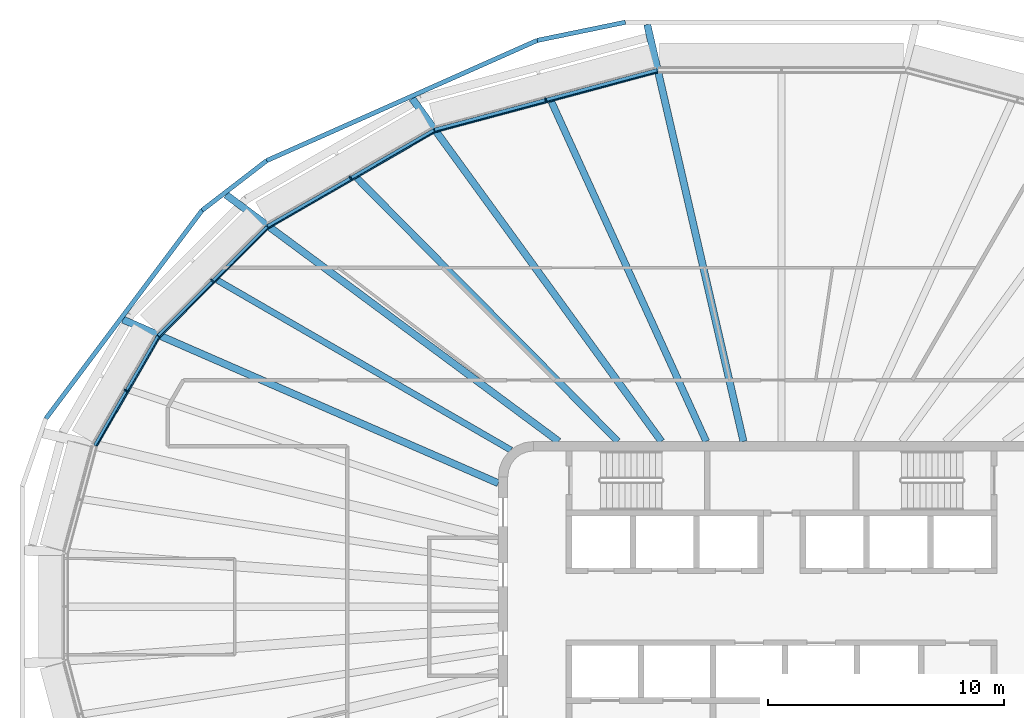
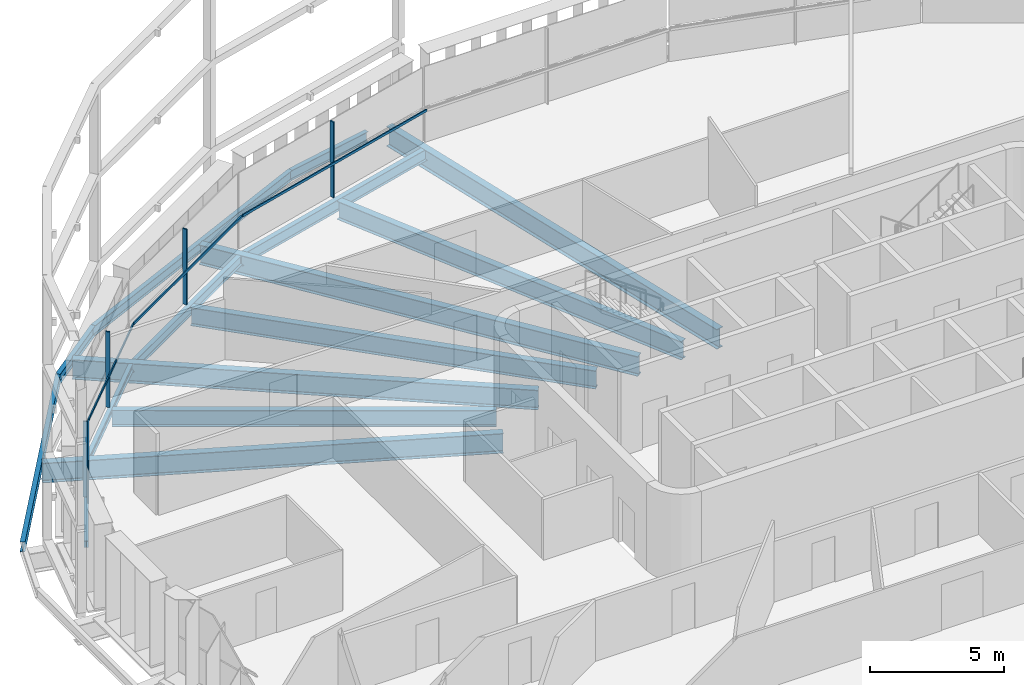
# One storey, part 5 of 20: 15 beams, 8 members, 4 elements without a shape of their own.
"""IFC4 building model written with IfcOpenShell, lengths in metres."""

import ifcopenshell
import ifcopenshell.guid

model = None  # the IFC model being written
_history = None  # IfcOwnerHistory: only IFC2X3 demands one
_inside = {}  # id of a spatial element -> (the spatial element, [elements in it])
_under = {}  # id of a project, library or spatial element -> (it, [spatial elements below it])
_declared = {}  # id of a project -> (the project, [libraries it declares])
_typed = {}  # id of a type object -> (the type object, [elements of that type])
_made_of = {}  # id of a material, layer set ... -> (it, [elements and type objects made of it])


def new_model(schema):
    """Start an empty IFC model of exactly this schema.

    Asked for "IFC4X3", IfcOpenShell would pick the latest addendum, in which some entities
    have other attributes; the version numbers below select the first issue.
    IFC2X3 requires an IfcOwnerHistory on every rooted entity: one is made here for all.
    """
    global model, _history
    if schema == "IFC4X3":
        model = ifcopenshell.file(schema_version=(4, 3, 0, 0))
    else:
        model = ifcopenshell.file(schema=schema)
    _inside.clear()
    _under.clear()
    _declared.clear()
    _typed.clear()
    _made_of.clear()
    _history = None
    if model.schema == "IFC2X3":
        org = make("IfcOrganization", Name="unknown")
        user = make(
            "IfcPersonAndOrganization",
            ThePerson=make("IfcPerson", FamilyName="unknown"),
            TheOrganization=org,
        )
        app = make(
            "IfcApplication",
            ApplicationDeveloper=org,
            Version="unknown",
            ApplicationFullName="unknown",
            ApplicationIdentifier="unknown",
        )
        _history = make(
            "IfcOwnerHistory",
            OwningUser=user,
            OwningApplication=app,
            ChangeAction="ADDED",
            CreationDate=0,
        )
    return model


def make(cls, **values):
    """One entity of the class cls with the attributes given. An attribute that is None is left unset."""
    return model.create_entity(
        cls, **{name: value for name, value in values.items() if value is not None}
    )


def rooted(cls, **values):
    """An entity with a GlobalId (a new one), such as an element, a storey or a relation."""
    return make(cls, GlobalId=ifcopenshell.guid.new(), OwnerHistory=_history, **values)


def si_unit(unit_type, name, prefix=None):
    """IfcSIUnit, for example si_unit("LENGTHUNIT", "METRE", prefix="MILLI")."""
    return make("IfcSIUnit", UnitType=unit_type, Prefix=prefix, Name=name)


def assignment(units):
    """IfcUnitAssignment: the units of a project."""
    return None if units is None else make("IfcUnitAssignment", Units=units)


def point(xyz):
    """IfcCartesianPoint."""
    return None if xyz is None else make("IfcCartesianPoint", Coordinates=xyz)


def direction(xyz):
    """IfcDirection."""
    return None if xyz is None else make("IfcDirection", DirectionRatios=xyz)


def frame(location, z_axis=None, x_axis=None):
    """IfcAxis2Placement3D, a coordinate frame: its origin and axes. An axis left out is left unset."""
    return make(
        "IfcAxis2Placement3D",
        Location=point(location),
        Axis=direction(z_axis),
        RefDirection=direction(x_axis),
    )


def frame_2d(location, x_axis=None):
    """IfcAxis2Placement2D, a coordinate frame in the plane: its origin and x axis."""
    return make(
        "IfcAxis2Placement2D", Location=point(location), RefDirection=direction(x_axis)
    )


def origin():
    """The frame at (0, 0, 0) with its axes left unset."""
    return frame((0.0, 0.0, 0.0))


def origin_2d():
    """The frame at (0, 0) in the plane with its x axis left unset."""
    return frame_2d((0.0, 0.0))


def place(relative_to, where):
    """IfcLocalPlacement: puts the frame where relative to a parent placement (None: the world)."""
    return make(
        "IfcLocalPlacement", PlacementRelTo=relative_to, RelativePlacement=where
    )


def context(
    kind, dimensions, precision=None, world=None, true_north=None, identifier=None
):
    """IfcGeometricRepresentationContext, for example the 3D "Model" context."""
    return make(
        "IfcGeometricRepresentationContext",
        ContextIdentifier=identifier,
        ContextType=kind,
        CoordinateSpaceDimension=dimensions,
        Precision=precision,
        WorldCoordinateSystem=world,
        TrueNorth=true_north,
    )


def subcontext(parent, identifier, kind, view, scale=None):
    """IfcGeometricRepresentationSubContext, for example "Body" below "Model"."""
    return make(
        "IfcGeometricRepresentationSubContext",
        ContextIdentifier=identifier,
        ContextType=kind,
        ParentContext=parent,
        TargetScale=scale,
        TargetView=view,
    )


def project(units=None, contexts=None):
    """IfcProject with its units and contexts."""
    return rooted(
        "IfcProject",
        Name="project",
        RepresentationContexts=contexts,
        UnitsInContext=assignment(units),
    )


def spatial(cls, under=None, at=None, **own):
    """A site, building, storey or space (cls), placed at a placement, below another one or the project."""
    s = rooted(cls, ObjectPlacement=at, **own)
    if under is not None:
        _under.setdefault(under.id(), (under, []))[1].append(s)
    return s


def profile(cls, at=None, kind="AREA", **sizes):
    """A parametric profile (cls). Its sizes go by their IFC names, for example OverallWidth=200.0."""
    return make(cls, ProfileType=kind, Position=at, **sizes)


def rectangle(**sizes):
    """IfcRectangleProfileDef."""
    return profile("IfcRectangleProfileDef", **sizes)


def i_section(**sizes):
    """IfcIShapeProfileDef."""
    return profile("IfcIShapeProfileDef", **sizes)


def extrude(swept, where, along, depth):
    """IfcExtrudedAreaSolid: the profile swept, set in the frame where, extruded along a direction by depth."""
    return make(
        "IfcExtrudedAreaSolid",
        SweptArea=swept,
        Position=where,
        ExtrudedDirection=direction(along),
        Depth=depth,
    )


def shape(context_of_items, identifier, shape_type, items):
    """IfcShapeRepresentation: the items that make up one representation, for example the "Body"."""
    return make(
        "IfcShapeRepresentation",
        ContextOfItems=context_of_items,
        RepresentationIdentifier=identifier,
        RepresentationType=shape_type,
        Items=items,
    )


def material(Name=None, Category=None):
    """IfcMaterial."""
    return make("IfcMaterial", Name=Name, Category=Category)


def layer(
    of_material, thickness, ventilated=None, Name=None, Category=None, Priority=None
):
    """IfcMaterialLayer: one layer of a wall or slab, of a material (None: an air gap)."""
    return make(
        "IfcMaterialLayer",
        Material=of_material,
        LayerThickness=thickness,
        IsVentilated=ventilated,
        Name=Name,
        Category=Category,
        Priority=Priority,
    )


def layer_set(layers, Name=None):
    """IfcMaterialLayerSet."""
    return make("IfcMaterialLayerSet", MaterialLayers=layers, LayerSetName=Name)


def material_profile(
    of_material, cross_section, Name=None, Category=None, Priority=None
):
    """IfcMaterialProfile: a cross section and its material."""
    return make(
        "IfcMaterialProfile",
        Name=Name,
        Material=of_material,
        Profile=cross_section,
        Priority=Priority,
        Category=Category,
    )


def profile_set(profiles, Name=None, composite=None):
    """IfcMaterialProfileSet."""
    return make(
        "IfcMaterialProfileSet",
        Name=Name,
        MaterialProfiles=profiles,
        CompositeProfile=composite,
    )


def made_of(thing, what):
    """Note that an element or type object is made of a material, layer set ...; save() writes the relation."""
    if what is not None:
        _made_of.setdefault(what.id(), (what, []))[1].append(thing)
    return thing


def type_object(cls, material=None, **own):
    """A type object (cls), such as IfcWallType, which elements share."""
    return made_of(rooted(cls, **own), material)


def element(
    cls,
    number,
    at=None,
    inside=None,
    cuts=None,
    type_object=None,
    material=None,
    context=None,
    identifier="Body",
    shape_type=None,
    held_by="IfcProductDefinitionShape",
    body=None,
    shapes=None,
    **own,
):
    """One element of the class cls, such as IfcWall. Its Tag is "e" and its number.

    at: its placement. inside: the storey or other place that contains it. cuts: it is an
    opening in that element (IfcRelVoidsElement). A single representation is given by context,
    identifier, shape_type and body (its items); several are given by shapes. held_by: the class
    of the entity that holds the representations. save() writes the other relations.
    """
    e = rooted(cls, Tag="e%d" % number, ObjectPlacement=at, **own)
    if body is not None:
        shapes = [shape(context, identifier, shape_type, body)]
    if shapes is not None:
        e.Representation = make(held_by, Representations=shapes)
    if inside is not None:
        _inside.setdefault(inside.id(), (inside, []))[1].append(e)
    if cuts is not None:
        rooted(
            "IfcRelVoidsElement", RelatingBuildingElement=cuts, RelatedOpeningElement=e
        )
    if type_object is not None:
        _typed.setdefault(type_object.id(), (type_object, []))[1].append(e)
    return made_of(e, material)


def aggregate(whole, parts):
    """IfcRelAggregates: a whole, such as a stair, and the parts it consists of."""
    return rooted("IfcRelAggregates", RelatingObject=whole, RelatedObjects=parts)


def save(model, path):
    """Write the relations noted so far, then the file.

    IfcRelAggregates (storeys below a building ...), IfcRelContainedInSpatialStructure (elements
    in a storey), IfcRelDefinesByType, IfcRelAssociatesMaterial and IfcRelDeclares: one each for
    every whole, place, type object, material and project.
    """
    for whole, parts in _under.values():
        aggregate(whole, parts)
    for where, things in _inside.values():
        rooted(
            "IfcRelContainedInSpatialStructure",
            RelatedElements=things,
            RelatingStructure=where,
        )
    for kind, things in _typed.values():
        rooted("IfcRelDefinesByType", RelatedObjects=things, RelatingType=kind)
    for what, things in _made_of.values():
        rooted("IfcRelAssociatesMaterial", RelatedObjects=things, RelatingMaterial=what)
    for by, libraries in _declared.values():
        rooted("IfcRelDeclares", RelatingContext=by, RelatedDefinitions=libraries)
    model.write(path)


model = new_model("IFC4")

# Units and contexts
model_context = context("Model", 3, precision=1e-05, world=origin(), true_north=direction((0.0, 1.0)))
body_context = subcontext(model_context, "Body", "Model", "MODEL_VIEW")
ifc_project = project(units=[si_unit("LENGTHUNIT", "METRE"), si_unit("AREAUNIT", "SQUARE_METRE"), si_unit("VOLUMEUNIT", "CUBIC_METRE"), si_unit("PLANEANGLEUNIT", "RADIAN"), si_unit("MASSUNIT", "GRAM", prefix="KILO")], contexts=[model_context])

# Site, building, storey
site_placement = place(None, origin())
site = spatial("IfcSite", under=ifc_project, at=site_placement, CompositionType="ELEMENT")
building_placement = place(site_placement, origin())
building = spatial("IfcBuilding", under=site, at=building_placement, Name="Sahrelin Media Tower", CompositionType="ELEMENT")
storey_placement = place(building_placement, frame((0.0, 0.0, 237.60009765625)))
storey = spatial("IfcBuildingStorey", under=building, at=storey_placement, Name="L51", CompositionType="ELEMENT", Elevation=237.60009765625)

# Beams
ifc_material_1 = material(Name="Steel S355", Category="steel")
ifc_material_profile_1 = material_profile(ifc_material_1, i_section(OverallWidth=0.1650390625, OverallDepth=0.303466796875, WebThickness=0.006103515625, FlangeThickness=0.01025390625, FilletRadius=0.0087890625, at=origin_2d()), Name="UB 305x165x40")
ifc_profile_set_1 = profile_set([ifc_material_profile_1], Name="Steel S355")
beam_type_1 = type_object("IfcBeamType", Name="Edge beam EB2", PredefinedType="BEAM", material=ifc_profile_set_1)
beam_1_placement = place(storey_placement, frame((-29.07177734375, 6.82470703125, -0.3017578125), z_axis=(0.500034814518, 0.86600530268, 0.0), x_axis=(-0.86600530268, 0.500034814518, 0.0)))
element("IfcBeam", 1, at=beam_1_placement, inside=storey, type_object=beam_type_1, Name="Edge beam L51-15", PredefinedType="BEAM", context=body_context, shape_type="SweptSolid", body=[
    extrude(i_section(OverallWidth=0.1650390625, OverallDepth=0.303466796875, WebThickness=0.006103515625, FlangeThickness=0.01025390625, FilletRadius=0.0087890625, at=origin_2d()), origin(), (0.0, 0.0, 1.0), 5.3447265625),
])
ifc_material_profile_2 = material_profile(ifc_material_1, i_section(OverallWidth=0.17138671875, OverallDepth=0.35498046875, WebThickness=0.00732421875, FlangeThickness=0.011474609375, FilletRadius=0.01025390625, at=origin_2d()), Name="UB 356x171x51")
ifc_profile_set_2 = profile_set([ifc_material_profile_2], Name="Steel S355")
beam_type_2 = type_object("IfcBeamType", Name="Edge beam EB3", PredefinedType="BEAM", material=ifc_profile_set_2)
beam_2_placement = place(storey_placement, frame((-26.381591796875, 11.476318359375, -0.32763671875), z_axis=(0.707106781187, 0.707106781187, 0.0), x_axis=(-0.707106781187, 0.707106781187, 0.0)))
element("IfcBeam", 2, at=beam_2_placement, inside=storey, type_object=beam_type_2, Name="Edge beam L51-16", PredefinedType="BEAM", context=body_context, shape_type="SweptSolid", body=[
    extrude(i_section(OverallWidth=0.17138671875, OverallDepth=0.35498046875, WebThickness=0.00732421875, FlangeThickness=0.011474609375, FilletRadius=0.01025390625, at=origin_2d()), origin(), (0.0, 0.0, 1.0), 6.508544921875),
])
ifc_material_profile_3 = material_profile(ifc_material_1, i_section(OverallWidth=0.1904296875, OverallDepth=0.45703125, WebThickness=0.009033203125, FlangeThickness=0.014404296875, FilletRadius=0.01025390625, at=origin_2d()), Name="UB 457x191x74")
ifc_profile_set_3 = profile_set([ifc_material_profile_3], Name="Steel S355")
beam_type_3 = type_object("IfcBeamType", Name="Edge beam EB5", PredefinedType="BEAM", material=ifc_profile_set_3)
beam_3_placement = place(storey_placement, frame((-21.756591796875, 16.095947265625, -0.378662109375), z_axis=(0.866024038412, 0.500002364886, 0.0), x_axis=(-0.500002364886, 0.866024038412, 0.0)))
element("IfcBeam", 3, at=beam_3_placement, inside=storey, type_object=beam_type_3, Name="Edge beam L51-17", PredefinedType="BEAM", context=body_context, shape_type="SweptSolid", body=[
    extrude(i_section(OverallWidth=0.1904296875, OverallDepth=0.45703125, WebThickness=0.009033203125, FlangeThickness=0.014404296875, FilletRadius=0.01025390625, at=origin_2d()), origin(), (0.0, 0.0, 1.0), 8.12890625),
])
ifc_material_profile_4 = material_profile(ifc_material_1, i_section(OverallWidth=0.208740234375, OverallDepth=0.5283203125, WebThickness=0.009521484375, FlangeThickness=0.01318359375, FilletRadius=0.0126953125, at=origin_2d()), Name="UB 533x210x82")
ifc_profile_set_4 = profile_set([ifc_material_profile_4], Name="Steel S355")
beam_type_4 = type_object("IfcBeamType", Name="Edge beam EB6", PredefinedType="BEAM", material=ifc_profile_set_4)
beam_4_placement = place(storey_placement, frame((-14.690185546875, 20.17138671875, -0.414306640625), z_axis=(0.965922692081, 0.258830741845, 0.0), x_axis=(-0.258830741845, 0.965922692081, 0.0)))
element("IfcBeam", 4, at=beam_4_placement, inside=storey, type_object=beam_type_4, Name="Edge beam L51-18", PredefinedType="BEAM", context=body_context, shape_type="SweptSolid", body=[
    extrude(i_section(OverallWidth=0.208740234375, OverallDepth=0.5283203125, WebThickness=0.009521484375, FlangeThickness=0.01318359375, FilletRadius=0.0126953125, at=origin_2d()), origin(), (0.0, 0.0, 1.0), 9.755126953125),
])

# Curtain wall, member
ifc_material_2 = material(Name="Champagne anodised aluminium 6063-T6", Category="aluminium")
ifc_layer = layer(ifc_material_2, 0.14990234375)
ifc_layer_set = layer_set([ifc_layer], Name="Tower ribbon curtain wall")
curtain_wall_type = type_object("IfcCurtainWallType", Name="Tower ribbon curtain wall", PredefinedType="NOTDEFINED", material=ifc_layer_set)
curtain_wall_1_placement = place(storey_placement, frame((-10.017578125, 21.57861328125, 0.0), z_axis=(0.0, 0.0, 1.0), x_axis=(1.0, 0.0, 0.0)))
curtain_wall_1 = element("IfcCurtainWall", 5, at=curtain_wall_1_placement, inside=storey, type_object=curtain_wall_type, Name="L51:CW:L51-07", PredefinedType="NOTDEFINED")
ifc_material_profile_5 = material_profile(ifc_material_2, rectangle(XDim=0.06005859375, YDim=0.175048828125, at=origin_2d()), Name="Mullion 60x175")
ifc_profile_set_5 = profile_set([ifc_material_profile_5], Name="Champagne anodised aluminium 6063-T6")
member_type_1 = type_object("IfcMemberType", Name="Mullion 60x175 CW1B", PredefinedType="MULLION", material=ifc_profile_set_5)
member_1_placement = place(storey_placement, frame((-9.98974609375, 21.474853515625, 0.0), z_axis=(0.0, 0.0, 1.0), x_axis=(-0.965925374563, -0.258820730961, 0.0)))
member_1 = element("IfcMember", 6, at=member_1_placement, type_object=member_type_1, Name="L51:CWM:L51-07", PredefinedType="MULLION", context=body_context, shape_type="SweptSolid", body=[
    extrude(rectangle(XDim=0.06005859375, YDim=0.175048828125, at=origin_2d()), origin(), (0.0, 0.0, 1.0), 3.448486328125),
])

curtain_wall_2_placement = place(storey_placement, frame((-18.3115234375, 18.258056640625, 0.0), z_axis=(0.0, 0.0, 1.0), x_axis=(1.0, 0.0, 0.0)))
curtain_wall_2 = element("IfcCurtainWall", 7, at=curtain_wall_2_placement, inside=storey, type_object=curtain_wall_type, Name="L51:CW:L51-08", PredefinedType="NOTDEFINED")
member_2_placement = place(storey_placement, frame((-18.2578125, 18.1650390625, 0.0), z_axis=(0.0, 0.0, 1.0), x_axis=(-0.866027149108, -0.499996976998, 0.0)))
member_2 = element("IfcMember", 8, at=member_2_placement, type_object=member_type_1, Name="L51:CWM:L51-08", PredefinedType="MULLION", context=body_context, shape_type="SweptSolid", body=[
    extrude(rectangle(XDim=0.06005859375, YDim=0.175048828125, at=origin_2d()), origin(), (0.0, 0.0, 1.0), 3.448486328125),
])

curtain_wall_3_placement = place(storey_placement, frame((-24.1865234375, 13.883544921875, 0.0), z_axis=(0.0, 0.0, 1.0), x_axis=(1.0, 0.0, 0.0)))
curtain_wall_3 = element("IfcCurtainWall", 9, at=curtain_wall_3_placement, inside=storey, type_object=curtain_wall_type, Name="L51:CW:L51-09", PredefinedType="NOTDEFINED")
member_3_placement = place(storey_placement, frame((-24.110595703125, 13.807373046875, 0.0), z_axis=(0.0, 0.0, 1.0), x_axis=(-0.707106781187, -0.707106781187, 0.0)))
member_3 = element("IfcMember", 10, at=member_3_placement, type_object=member_type_1, Name="L51:CWM:L51-09", PredefinedType="MULLION", context=body_context, shape_type="SweptSolid", body=[
    extrude(rectangle(XDim=0.06005859375, YDim=0.175048828125, at=origin_2d()), origin(), (0.0, 0.0, 1.0), 3.448486328125),
])

curtain_wall_4_placement = place(storey_placement, frame((-27.865234375, 9.214111328125, 0.0), z_axis=(0.0, 0.0, 1.0), x_axis=(1.0, 0.0, 0.0)))
curtain_wall_4 = element("IfcCurtainWall", 11, at=curtain_wall_4_placement, inside=storey, type_object=curtain_wall_type, Name="L51:CW:L51-10", PredefinedType="NOTDEFINED")
member_4_placement = place(storey_placement, frame((-27.772216796875, 9.16015625, 0.0), z_axis=(0.0, 0.0, 1.0), x_axis=(-0.500009068969, -0.866020167749, 0.0)))
member_4 = element("IfcMember", 12, at=member_4_placement, type_object=member_type_1, Name="L51:CWM:L51-10", PredefinedType="MULLION", context=body_context, shape_type="SweptSolid", body=[
    extrude(rectangle(XDim=0.06005859375, YDim=0.175048828125, at=origin_2d()), origin(), (0.0, 0.0, 1.0), 3.448486328125),
])

# Beams
ifc_material_profile_6 = material_profile(ifc_material_1, i_section(OverallWidth=0.30322265625, OverallDepth=0.903076171875, WebThickness=0.01513671875, FlangeThickness=0.020263671875, FilletRadius=0.01904296875, at=origin_2d()), Name="UB 914x305x201")
ifc_profile_set_6 = profile_set([ifc_material_profile_6], Name="Steel S355")
beam_type_5 = type_object("IfcBeamType", Name="Radial primary beam PB11", PredefinedType="BEAM", material=ifc_profile_set_6)
beam_5_placement = place(storey_placement, frame((-1.615478515625, 7.0, -0.6015625), z_axis=(-0.224867376776, 0.97438937949, 0.0), x_axis=(-0.97438937949, -0.224867376776, 0.0)))
element("IfcBeam", 13, at=beam_5_placement, inside=storey, type_object=beam_type_5, Name="Radial beam L51-07", PredefinedType="BEAM", context=body_context, shape_type="SweptSolid", body=[
    extrude(i_section(OverallWidth=0.30322265625, OverallDepth=0.903076171875, WebThickness=0.01513671875, FlangeThickness=0.020263671875, FilletRadius=0.01904296875, at=origin_2d()), origin(), (0.0, 0.0, 1.0), 18.124755859375),
])
beam_6_placement = place(storey_placement, frame((-5.08837890625, 7.0, -0.6015625), z_axis=(-0.587988206602, 0.808869500536, 0.0), x_axis=(-0.808869500536, -0.587988206602, 0.0)))
element("IfcBeam", 14, at=beam_6_placement, inside=storey, type_object=beam_type_5, Name="Radial beam L51-08", PredefinedType="BEAM", context=body_context, shape_type="SweptSolid", body=[
    extrude(i_section(OverallWidth=0.30322265625, OverallDepth=0.903076171875, WebThickness=0.01513671875, FlangeThickness=0.020263671875, FilletRadius=0.01904296875, at=origin_2d()), origin(), (0.0, 0.0, 1.0), 17.9599609375),
])
beam_7_placement = place(storey_placement, frame((-9.441162109375, 7.0, -0.6015625), z_axis=(-0.803289615058, 0.59558861166, 0.0), x_axis=(-0.59558861166, -0.803289615058, 0.0)))
element("IfcBeam", 15, at=beam_7_placement, inside=storey, type_object=beam_type_5, Name="Radial beam L51-09", PredefinedType="BEAM", context=body_context, shape_type="SweptSolid", body=[
    extrude(i_section(OverallWidth=0.30322265625, OverallDepth=0.903076171875, WebThickness=0.01513671875, FlangeThickness=0.020263671875, FilletRadius=0.01904296875, at=origin_2d()), origin(), (0.0, 0.0, 1.0), 17.542236328125),
])
beam_8_placement = place(storey_placement, frame((-12.0, 5.2314453125, -0.6015625), z_axis=(-0.916675468722, 0.399632437427, 0.0), x_axis=(-0.399632437427, -0.916675468722, 0.0)))
element("IfcBeam", 16, at=beam_8_placement, inside=storey, type_object=beam_type_5, Name="Radial beam L51-10", PredefinedType="BEAM", context=body_context, shape_type="SweptSolid", body=[
    extrude(i_section(OverallWidth=0.30322265625, OverallDepth=0.903076171875, WebThickness=0.01513671875, FlangeThickness=0.020263671875, FilletRadius=0.01904296875, at=origin_2d()), origin(), (0.0, 0.0, 1.0), 17.342041015625),
])
ifc_material_profile_7 = material_profile(ifc_material_1, i_section(OverallWidth=0.291748046875, OverallDepth=0.8349609375, WebThickness=0.013916015625, FlangeThickness=0.018798828125, FilletRadius=0.017822265625, at=origin_2d()), Name="UB 838x292x176")
ifc_profile_set_7 = profile_set([ifc_material_profile_7], Name="Steel S355")
beam_type_6 = type_object("IfcBeamType", Name="Radial secondary beam SB10", PredefinedType="BEAM", material=ifc_profile_set_7)
beam_9_placement = place(storey_placement, frame((-3.19091796875, 7.0, -0.567626953125), z_axis=(-0.414752003644, 0.90993448966, 0.0), x_axis=(-0.90993448966, -0.414752003644, 0.0)))
element("IfcBeam", 17, at=beam_9_placement, inside=storey, type_object=beam_type_6, Name="Secondary beam L51-07", PredefinedType="BEAM", context=body_context, shape_type="SweptSolid", body=[
    extrude(i_section(OverallWidth=0.291748046875, OverallDepth=0.8349609375, WebThickness=0.013916015625, FlangeThickness=0.018798828125, FilletRadius=0.017822265625, at=origin_2d()), origin(), (0.0, 0.0, 1.0), 15.8115234375),
])
beam_10_placement = place(storey_placement, frame((-6.934326171875, 7.0, -0.567626953125), z_axis=(-0.70375757682, 0.710440196687, 0.0), x_axis=(-0.710440196687, -0.70375757682, 0.0)))
element("IfcBeam", 18, at=beam_10_placement, inside=storey, type_object=beam_type_6, Name="Secondary beam L51-08", PredefinedType="BEAM", context=body_context, shape_type="SweptSolid", body=[
    extrude(i_section(OverallWidth=0.291748046875, OverallDepth=0.8349609375, WebThickness=0.013916015625, FlangeThickness=0.018798828125, FilletRadius=0.017822265625, at=origin_2d()), origin(), (0.0, 0.0, 1.0), 15.70947265625),
])
ifc_material_profile_8 = material_profile(ifc_material_1, i_section(OverallWidth=0.26513671875, OverallDepth=0.75390625, WebThickness=0.0126953125, FlangeThickness=0.017578125, FilletRadius=0.0166015625, at=origin_2d()), Name="UB 762x267x147")
ifc_profile_set_8 = profile_set([ifc_material_profile_8], Name="Steel S355")
beam_type_7 = type_object("IfcBeamType", Name="Radial secondary beam SB9", PredefinedType="BEAM", material=ifc_profile_set_8)
beam_11_placement = place(storey_placement, frame((-11.465087890625, 6.634033203125, -0.527099609375), z_axis=(-0.865540628134, 0.500838717602, 0.0), x_axis=(-0.500838717602, -0.865540628134, 0.0)))
element("IfcBeam", 19, at=beam_11_placement, inside=storey, type_object=beam_type_7, Name="Secondary beam L51-09", PredefinedType="BEAM", context=body_context, shape_type="SweptSolid", body=[
    extrude(i_section(OverallWidth=0.26513671875, OverallDepth=0.75390625, WebThickness=0.0126953125, FlangeThickness=0.017578125, FilletRadius=0.0166015625, at=origin_2d()), origin(), (0.0, 0.0, 1.0), 14.371826171875),
])
ifc_material_profile_9 = material_profile(ifc_material_1, i_section(OverallWidth=0.1904296875, OverallDepth=0.45703125, WebThickness=0.009033203125, FlangeThickness=0.014404296875, FilletRadius=0.01025390625, at=origin_2d()), Name="UB 457x191x74")
ifc_profile_set_9 = profile_set([ifc_material_profile_9], Name="Steel S355")
beam_type_8 = type_object("IfcBeamType", Name="Tie chord TC5", PredefinedType="BEAM", material=ifc_profile_set_9)
beam_12_placement = place(storey_placement, frame((-6.61669921875, 24.755859375, -0.378662109375), z_axis=(-0.979385944279, -0.201997950853, 0.0), x_axis=(0.201997950853, -0.979385944279, 0.0)))
element("IfcBeam", 20, at=beam_12_placement, inside=storey, type_object=beam_type_8, Name="Tie chord L51-07", PredefinedType="BEAM", context=body_context, shape_type="SweptSolid", body=[
    extrude(i_section(OverallWidth=0.1904296875, OverallDepth=0.45703125, WebThickness=0.009033203125, FlangeThickness=0.014404296875, FilletRadius=0.01025390625, at=origin_2d()), origin(), (0.0, 0.0, 1.0), 3.813232421875),
])
beam_13_placement = place(storey_placement, frame((-10.351318359375, 23.985595703125, -0.378662109375), z_axis=(-0.913826800586, -0.406104147395, 0.0), x_axis=(0.406104147395, -0.913826800586, 0.0)))
element("IfcBeam", 21, at=beam_13_placement, inside=storey, type_object=beam_type_8, Name="Tie chord L51-08", PredefinedType="BEAM", context=body_context, shape_type="SweptSolid", body=[
    extrude(i_section(OverallWidth=0.1904296875, OverallDepth=0.45703125, WebThickness=0.009033203125, FlangeThickness=0.014404296875, FilletRadius=0.01025390625, at=origin_2d()), origin(), (0.0, 0.0, 1.0), 12.541259765625),
])
beam_14_placement = place(storey_placement, frame((-21.811767578125, 18.892578125, -0.378662109375), z_axis=(-0.79244769643, -0.609939872793, 0.0), x_axis=(0.609939872793, -0.79244769643, 0.0)))
element("IfcBeam", 22, at=beam_14_placement, inside=storey, type_object=beam_type_8, Name="Tie chord L51-09", PredefinedType="BEAM", context=body_context, shape_type="SweptSolid", body=[
    extrude(i_section(OverallWidth=0.1904296875, OverallDepth=0.45703125, WebThickness=0.009033203125, FlangeThickness=0.014404296875, FilletRadius=0.01025390625, at=origin_2d()), origin(), (0.0, 0.0, 1.0), 3.449951171875),
])
beam_15_placement = place(storey_placement, frame((-24.545654296875, 16.788330078125, -0.378662109375), z_axis=(-0.600053135992, -0.799960145249, 0.0), x_axis=(0.799960145249, -0.600053135992, 0.0)))
element("IfcBeam", 23, at=beam_15_placement, inside=storey, type_object=beam_type_8, Name="Tie chord L51-10", PredefinedType="BEAM", context=body_context, shape_type="SweptSolid", body=[
    extrude(i_section(OverallWidth=0.1904296875, OverallDepth=0.45703125, WebThickness=0.009033203125, FlangeThickness=0.014404296875, FilletRadius=0.01025390625, at=origin_2d()), origin(), (0.0, 0.0, 1.0), 11.02685546875),
])

# Member
ifc_material_profile_10 = material_profile(ifc_material_2, rectangle(XDim=0.050048828125, YDim=0.110107421875, at=origin_2d()), Name="Transom 50x110")
ifc_profile_set_10 = profile_set([ifc_material_profile_10], Name="Champagne anodised aluminium 6063-T6")
member_type_2 = type_object("IfcMemberType", Name="Transom 50x110 CW1B", PredefinedType="USERDEFINED", material=ifc_profile_set_10)
member_5_placement = place(storey_placement, frame((-5.2646484375, 22.62451171875, 1.599853515625), z_axis=(-0.965925860392, -0.25881891783, 0.0), x_axis=(0.25881891783, -0.965925860392, 0.0)))
member_5 = element("IfcMember", 24, at=member_5_placement, type_object=member_type_2, Name="L51:CWT:L51-07", ObjectType="TRANSOM", PredefinedType="USERDEFINED", context=body_context, shape_type="SweptSolid", body=[
    extrude(rectangle(XDim=0.050048828125, YDim=0.110107421875, at=origin_2d()), origin(), (0.0, 0.0, 1.0), 9.723388671875),
])

aggregate(curtain_wall_1, [member_1, member_5])

member_6_placement = place(storey_placement, frame((-14.6953125, 20.092041015625, 1.599853515625), z_axis=(-0.866022911947, -0.500004315964, 0.0), x_axis=(0.500004315964, -0.866022911947, 0.0)))
member_6 = element("IfcMember", 25, at=member_6_placement, type_object=member_type_2, Name="L51:CWT:L51-08", ObjectType="TRANSOM", PredefinedType="USERDEFINED", context=body_context, shape_type="SweptSolid", body=[
    extrude(rectangle(XDim=0.050048828125, YDim=0.110107421875, at=origin_2d()), origin(), (0.0, 0.0, 1.0), 8.09765625),
])

aggregate(curtain_wall_2, [member_2, member_6])

member_7_placement = place(storey_placement, frame((-21.740966796875, 16.017822265625, 1.599853515625), z_axis=(-0.707125627567, -0.707087934304, 0.0), x_axis=(0.707087934304, -0.707125627567, 0.0)))
member_7 = element("IfcMember", 26, at=member_7_placement, type_object=member_type_2, Name="L51:CWT:L51-09", ObjectType="TRANSOM", PredefinedType="USERDEFINED", context=body_context, shape_type="SweptSolid", body=[
    extrude(rectangle(XDim=0.050048828125, YDim=0.110107421875, at=origin_2d()), origin(), (0.0, 0.0, 1.0), 6.47705078125),
])

aggregate(curtain_wall_3, [member_3, member_7])

member_8_placement = place(storey_placement, frame((-26.346435546875, 11.40478515625, 1.599853515625), z_axis=(-0.500003519352, -0.866023371876, 0.0), x_axis=(0.866023371876, -0.500003519352, 0.0)))
member_8 = element("IfcMember", 27, at=member_8_placement, type_object=member_type_2, Name="L51:CWT:L51-10", ObjectType="TRANSOM", PredefinedType="USERDEFINED", context=body_context, shape_type="SweptSolid", body=[
    extrude(rectangle(XDim=0.050048828125, YDim=0.110107421875, at=origin_2d()), origin(), (0.0, 0.0, 1.0), 5.3134765625),
])

aggregate(curtain_wall_4, [member_4, member_8])

save(model, "model.ifc")
